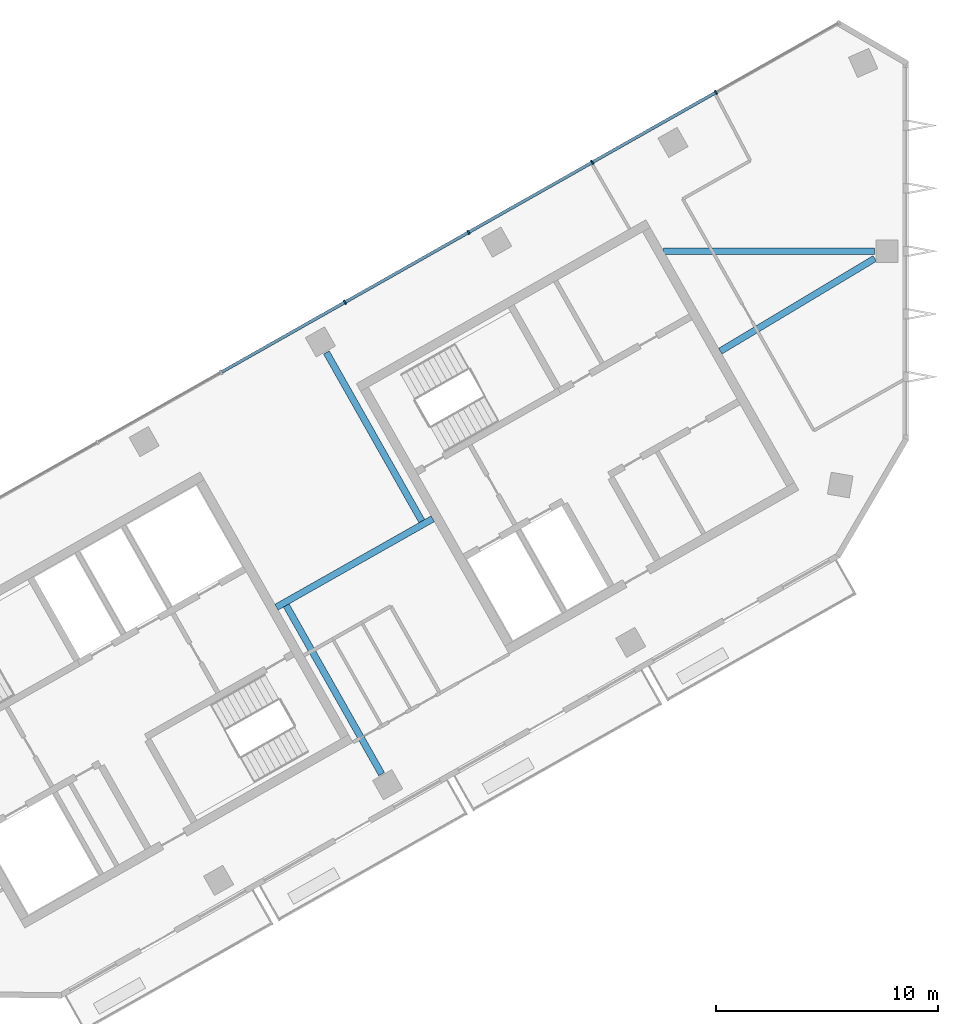
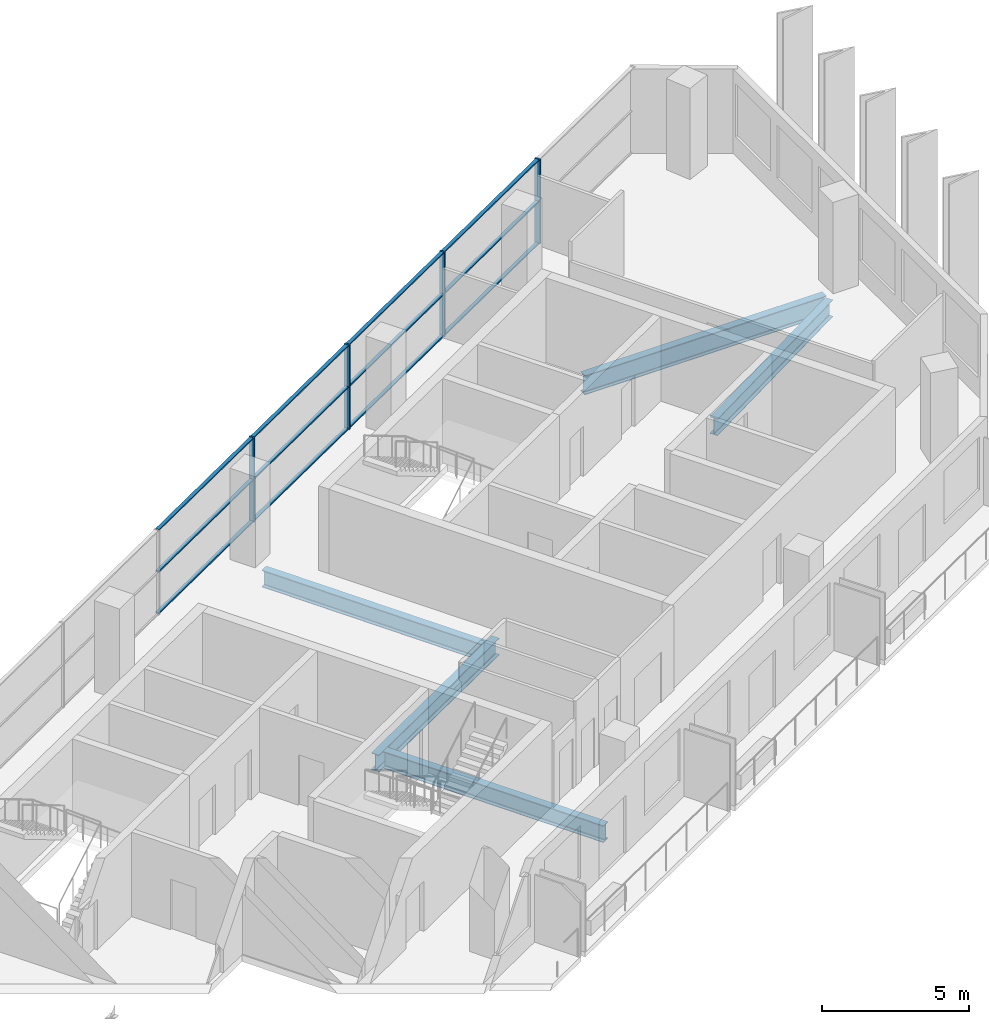
# One storey, part 3 of 10: 16 members, 5 beams, 1 element without a shape of its own.
"""IFC4 building model written with IfcOpenShell, lengths in metres."""

from ifc_helpers import new_model, si_unit, direction, frame, origin, origin_2d, place, context, subcontext, project, spatial, rectangle, i_section, extrude, material, material_profile, profile_set, type_object, element, aggregate, save


model = new_model("IFC4")

# Units and contexts
model_context = context("Model", 3, precision=1e-05, world=origin(), true_north=direction((0.0, 1.0)))
body_context = subcontext(model_context, "Body", "Model", "MODEL_VIEW")
ifc_project = project(units=[si_unit("LENGTHUNIT", "METRE"), si_unit("AREAUNIT", "SQUARE_METRE"), si_unit("VOLUMEUNIT", "CUBIC_METRE"), si_unit("PLANEANGLEUNIT", "RADIAN"), si_unit("MASSUNIT", "GRAM", prefix="KILO")], contexts=[model_context])

# Site, building, storey
site_placement = place(None, origin())
site = spatial("IfcSite", under=ifc_project, at=site_placement, CompositionType="ELEMENT")
building_placement = place(site_placement, origin())
building = spatial("IfcBuilding", under=site, at=building_placement, Name="Binnacle Exchange Tower", CompositionType="ELEMENT")
storey_placement = place(building_placement, frame((0.0, 0.0, 316.5)))
storey = spatial("IfcBuildingStorey", under=building, at=storey_placement, Name="L71", CompositionType="ELEMENT", Elevation=316.5)

# Curtain wall, members
ifc_material_1 = material(Name="Bronze anodised aluminium frame", Category="aluminium")
curtain_wall_type = type_object("IfcCurtainWallType", Name="External wall - curtain wall executive floors", PredefinedType="NOTDEFINED", material=ifc_material_1)
curtain_wall_placement = place(storey_placement, origin())
curtain_wall = element("IfcCurtainWall", 1, at=curtain_wall_placement, inside=storey, type_object=curtain_wall_type, Name="External wall curtain wall CW4-H03 L71", PredefinedType="NOTDEFINED")
ifc_material_profile_1 = material_profile(ifc_material_1, rectangle(XDim=0.199951171875, YDim=0.070068359375, at=origin_2d()), Name="AL 70x200")
ifc_profile_set_1 = profile_set([ifc_material_profile_1], Name="Bronze anodised aluminium frame")
member_type_1 = type_object("IfcMemberType", Name="CW4 MULLION 70x200", PredefinedType="MULLION", material=ifc_profile_set_1)
member_1_placement = place(storey_placement, frame((-8.55859375, 67.15771484375, 0.0), z_axis=(0.0, 0.0, 1.0), x_axis=(0.492423763019, -0.870355581136, 0.0)))
member_1 = element("IfcMember", 2, at=member_1_placement, type_object=member_type_1, Name="CW4-H03 mullion 2", PredefinedType="MULLION", context=body_context, shape_type="SweptSolid", body=[
    extrude(rectangle(XDim=0.199951171875, YDim=0.070068359375, at=origin_2d()), origin(), (0.0, 0.0, 1.0), 3.52001953125),
])
member_2_placement = place(storey_placement, frame((-14.13330078125, 64.003662109375, 0.0), z_axis=(0.0, 0.0, 1.0), x_axis=(0.492423763019, -0.870355581136, 0.0)))
member_2 = element("IfcMember", 3, at=member_2_placement, type_object=member_type_1, Name="CW4-H03 mullion 3", PredefinedType="MULLION", context=body_context, shape_type="SweptSolid", body=[
    extrude(rectangle(XDim=0.199951171875, YDim=0.070068359375, at=origin_2d()), origin(), (0.0, 0.0, 1.0), 3.52001953125),
])
member_3_placement = place(storey_placement, frame((-19.708251953125, 60.849609375, 0.0), z_axis=(0.0, 0.0, 1.0), x_axis=(0.492423763019, -0.870355581136, 0.0)))
member_3 = element("IfcMember", 4, at=member_3_placement, type_object=member_type_1, Name="CW4-H03 mullion 4", PredefinedType="MULLION", context=body_context, shape_type="SweptSolid", body=[
    extrude(rectangle(XDim=0.199951171875, YDim=0.070068359375, at=origin_2d()), origin(), (0.0, 0.0, 1.0), 3.52001953125),
])
member_4_placement = place(storey_placement, frame((-25.283203125, 57.695556640625, 0.0), z_axis=(0.0, 0.0, 1.0), x_axis=(0.492423763019, -0.870355581136, 0.0)))
member_4 = element("IfcMember", 5, at=member_4_placement, type_object=member_type_1, Name="CW4-H03 mullion 5", PredefinedType="MULLION", context=body_context, shape_type="SweptSolid", body=[
    extrude(rectangle(XDim=0.199951171875, YDim=0.070068359375, at=origin_2d()), origin(), (0.0, 0.0, 1.0), 3.52001953125),
])
ifc_material_profile_2 = material_profile(ifc_material_1, rectangle(XDim=0.139892578125, YDim=0.050048828125, at=origin_2d()), Name="AL 140x50")
ifc_profile_set_2 = profile_set([ifc_material_profile_2], Name="Bronze anodised aluminium frame")
member_type_2 = type_object("IfcMemberType", Name="CW4 TRANSOM 50x140", PredefinedType="USERDEFINED", material=ifc_profile_set_2)
member_5_placement = place(storey_placement, frame((-8.589111328125, 67.140625, 0.02490234375), z_axis=(-0.870355335808, -0.492424196633, 0.0), x_axis=(0.492424196633, -0.870355335808, 0.0)))
member_5 = element("IfcMember", 6, at=member_5_placement, type_object=member_type_2, Name="CW4-H03 transom 2.1", ObjectType="TRANSOM", PredefinedType="USERDEFINED", context=body_context, shape_type="SweptSolid", body=[
    extrude(rectangle(XDim=0.139892578125, YDim=0.050048828125, at=origin_2d()), origin(), (0.0, 0.0, 1.0), 6.335205078125),
])
member_6_placement = place(storey_placement, frame((-8.589111328125, 67.140625, 1.760009765625), z_axis=(-0.870355335808, -0.492424196633, 0.0), x_axis=(0.492424196633, -0.870355335808, 0.0)))
member_6 = element("IfcMember", 7, at=member_6_placement, type_object=member_type_2, Name="CW4-H03 transom 2.2", ObjectType="TRANSOM", PredefinedType="USERDEFINED", context=body_context, shape_type="SweptSolid", body=[
    extrude(rectangle(XDim=0.139892578125, YDim=0.050048828125, at=origin_2d()), origin(), (0.0, 0.0, 1.0), 6.335205078125),
])
member_7_placement = place(storey_placement, frame((-8.589111328125, 67.140625, 3.4951171875), z_axis=(-0.870355335808, -0.492424196633, 0.0), x_axis=(0.492424196633, -0.870355335808, 0.0)))
member_7 = element("IfcMember", 8, at=member_7_placement, type_object=member_type_2, Name="CW4-H03 transom 2.3", ObjectType="TRANSOM", PredefinedType="USERDEFINED", context=body_context, shape_type="SweptSolid", body=[
    extrude(rectangle(XDim=0.139892578125, YDim=0.050048828125, at=origin_2d()), origin(), (0.0, 0.0, 1.0), 6.335205078125),
])
member_8_placement = place(storey_placement, frame((-14.163818359375, 63.986328125, 0.02490234375), z_axis=(-0.870355335808, -0.492424196633, 0.0), x_axis=(0.492424196633, -0.870355335808, 0.0)))
member_8 = element("IfcMember", 9, at=member_8_placement, type_object=member_type_2, Name="CW4-H03 transom 3.1", ObjectType="TRANSOM", PredefinedType="USERDEFINED", context=body_context, shape_type="SweptSolid", body=[
    extrude(rectangle(XDim=0.139892578125, YDim=0.050048828125, at=origin_2d()), origin(), (0.0, 0.0, 1.0), 6.335205078125),
])
member_9_placement = place(storey_placement, frame((-14.163818359375, 63.986328125, 1.760009765625), z_axis=(-0.870355335808, -0.492424196633, 0.0), x_axis=(0.492424196633, -0.870355335808, 0.0)))
member_9 = element("IfcMember", 10, at=member_9_placement, type_object=member_type_2, Name="CW4-H03 transom 3.2", ObjectType="TRANSOM", PredefinedType="USERDEFINED", context=body_context, shape_type="SweptSolid", body=[
    extrude(rectangle(XDim=0.139892578125, YDim=0.050048828125, at=origin_2d()), origin(), (0.0, 0.0, 1.0), 6.335205078125),
])
member_10_placement = place(storey_placement, frame((-14.163818359375, 63.986328125, 3.4951171875), z_axis=(-0.870355335808, -0.492424196633, 0.0), x_axis=(0.492424196633, -0.870355335808, 0.0)))
member_10 = element("IfcMember", 11, at=member_10_placement, type_object=member_type_2, Name="CW4-H03 transom 3.3", ObjectType="TRANSOM", PredefinedType="USERDEFINED", context=body_context, shape_type="SweptSolid", body=[
    extrude(rectangle(XDim=0.139892578125, YDim=0.050048828125, at=origin_2d()), origin(), (0.0, 0.0, 1.0), 6.335205078125),
])
member_11_placement = place(storey_placement, frame((-19.73876953125, 60.832275390625, 0.02490234375), z_axis=(-0.870355335808, -0.492424196633, 0.0), x_axis=(0.492424196633, -0.870355335808, 0.0)))
member_11 = element("IfcMember", 12, at=member_11_placement, type_object=member_type_2, Name="CW4-H03 transom 4.1", ObjectType="TRANSOM", PredefinedType="USERDEFINED", context=body_context, shape_type="SweptSolid", body=[
    extrude(rectangle(XDim=0.139892578125, YDim=0.050048828125, at=origin_2d()), origin(), (0.0, 0.0, 1.0), 6.335205078125),
])
member_12_placement = place(storey_placement, frame((-19.73876953125, 60.832275390625, 1.760009765625), z_axis=(-0.870355335808, -0.492424196633, 0.0), x_axis=(0.492424196633, -0.870355335808, 0.0)))
member_12 = element("IfcMember", 13, at=member_12_placement, type_object=member_type_2, Name="CW4-H03 transom 4.2", ObjectType="TRANSOM", PredefinedType="USERDEFINED", context=body_context, shape_type="SweptSolid", body=[
    extrude(rectangle(XDim=0.139892578125, YDim=0.050048828125, at=origin_2d()), origin(), (0.0, 0.0, 1.0), 6.335205078125),
])
member_13_placement = place(storey_placement, frame((-19.73876953125, 60.832275390625, 3.4951171875), z_axis=(-0.870355335808, -0.492424196633, 0.0), x_axis=(0.492424196633, -0.870355335808, 0.0)))
member_13 = element("IfcMember", 14, at=member_13_placement, type_object=member_type_2, Name="CW4-H03 transom 4.3", ObjectType="TRANSOM", PredefinedType="USERDEFINED", context=body_context, shape_type="SweptSolid", body=[
    extrude(rectangle(XDim=0.139892578125, YDim=0.050048828125, at=origin_2d()), origin(), (0.0, 0.0, 1.0), 6.335205078125),
])
member_14_placement = place(storey_placement, frame((-25.3134765625, 57.67822265625, 0.02490234375), z_axis=(-0.870364679821, -0.492407680809, 0.0), x_axis=(0.492407680809, -0.870364679821, 0.0)))
member_14 = element("IfcMember", 15, at=member_14_placement, type_object=member_type_2, Name="CW4-H03 transom 5.1", ObjectType="TRANSOM", PredefinedType="USERDEFINED", context=body_context, shape_type="SweptSolid", body=[
    extrude(rectangle(XDim=0.139892578125, YDim=0.050048828125, at=origin_2d()), origin(), (0.0, 0.0, 1.0), 6.33544921875),
])
member_15_placement = place(storey_placement, frame((-25.3134765625, 57.67822265625, 1.760009765625), z_axis=(-0.870364679821, -0.492407680809, 0.0), x_axis=(0.492407680809, -0.870364679821, 0.0)))
member_15 = element("IfcMember", 16, at=member_15_placement, type_object=member_type_2, Name="CW4-H03 transom 5.2", ObjectType="TRANSOM", PredefinedType="USERDEFINED", context=body_context, shape_type="SweptSolid", body=[
    extrude(rectangle(XDim=0.139892578125, YDim=0.050048828125, at=origin_2d()), origin(), (0.0, 0.0, 1.0), 6.33544921875),
])
member_16_placement = place(storey_placement, frame((-25.3134765625, 57.67822265625, 3.4951171875), z_axis=(-0.870364679821, -0.492407680809, 0.0), x_axis=(0.492407680809, -0.870364679821, 0.0)))
member_16 = element("IfcMember", 17, at=member_16_placement, type_object=member_type_2, Name="CW4-H03 transom 5.3", ObjectType="TRANSOM", PredefinedType="USERDEFINED", context=body_context, shape_type="SweptSolid", body=[
    extrude(rectangle(XDim=0.139892578125, YDim=0.050048828125, at=origin_2d()), origin(), (0.0, 0.0, 1.0), 6.33544921875),
])
aggregate(curtain_wall, [member_1, member_2, member_3, member_4, member_5, member_6, member_7, member_8, member_9, member_10, member_11, member_12, member_13, member_14, member_15, member_16])

# Beams
ifc_material_2 = material(Name="Steel S355 (SHN355)", Category="steel")
ifc_material_profile_3 = material_profile(ifc_material_2, i_section(OverallWidth=0.302001953125, OverallDepth=0.7080078125, WebThickness=0.014892578125, FlangeThickness=0.028076171875, FilletRadius=0.028076171875, at=origin_2d()), Name="H 708x302x15x28")
ifc_profile_set_3 = profile_set([ifc_material_profile_3], Name="Steel S355 (SHN355)")
beam_type_1 = type_object("IfcBeamType", Name="Floor beam H 708x302x15x28 Steel S355 (SHN355)", PredefinedType="BEAM", material=ifc_profile_set_3)
beam_1_placement = place(storey_placement, frame((-26.11669921875, 55.431396484375, -0.634033203125), z_axis=(0.492413671625, -0.870361290497, 0.0), x_axis=(0.870361290497, 0.492413671625, 0.0)))
element("IfcBeam", 18, at=beam_1_placement, inside=storey, type_object=beam_type_1, Name="S:BM:cross:L71:004", PredefinedType="BEAM", context=body_context, shape_type="SweptSolid", body=[
    extrude(i_section(OverallWidth=0.302001953125, OverallDepth=0.7080078125, WebThickness=0.014892578125, FlangeThickness=0.028076171875, FilletRadius=0.028076171875, at=origin_2d()), origin(), (0.0, 0.0, 1.0), 8.734130859375),
])
beam_2_placement = place(storey_placement, frame((-23.626708984375, 36.4248046875, -0.634033203125), z_axis=(-0.492422866295, 0.870356088477, 0.0), x_axis=(-0.870356088477, -0.492422866295, 0.0)))
element("IfcBeam", 19, at=beam_2_placement, inside=storey, type_object=beam_type_1, Name="S:BM:cross:L71:005", PredefinedType="BEAM", context=body_context, shape_type="SweptSolid", body=[
    extrude(i_section(OverallWidth=0.302001953125, OverallDepth=0.7080078125, WebThickness=0.014892578125, FlangeThickness=0.028076171875, FilletRadius=0.028076171875, at=origin_2d()), origin(), (0.0, 0.0, 1.0), 8.734375),
])
ifc_material_profile_4 = material_profile(ifc_material_2, i_section(OverallWidth=0.300048828125, OverallDepth=0.800048828125, WebThickness=0.013916015625, FlangeThickness=0.02587890625, FilletRadius=0.028076171875, at=origin_2d()), Name="H 800x300x14x26")
ifc_profile_set_4 = profile_set([ifc_material_profile_4], Name="Steel S355 (SHN355)")
beam_type_2 = type_object("IfcBeamType", Name="Floor beam H 800x300x14x26 Steel S355 (SHN355)", PredefinedType="BEAM", material=ifc_profile_set_4)
beam_3_placement = place(storey_placement, frame((-1.39990234375, 60.0, -0.679931640625), z_axis=(-1.0, 0.0, 0.0), x_axis=(0.0, -1.0, 0.0)))
element("IfcBeam", 20, at=beam_3_placement, inside=storey, type_object=beam_type_2, Name="S:BM:cross:L71:006", PredefinedType="BEAM", context=body_context, shape_type="SweptSolid", body=[
    extrude(i_section(OverallWidth=0.300048828125, OverallDepth=0.800048828125, WebThickness=0.013916015625, FlangeThickness=0.02587890625, FilletRadius=0.028076171875, at=origin_2d()), origin(), (0.0, 0.0, 1.0), 9.51513671875),
])
ifc_material_profile_5 = material_profile(ifc_material_2, i_section(OverallWidth=0.300048828125, OverallDepth=0.699951171875, WebThickness=0.012939453125, FlangeThickness=0.02392578125, FilletRadius=0.028076171875, at=origin_2d()), Name="H 700x300x13x24")
ifc_profile_set_5 = profile_set([ifc_material_profile_5], Name="Steel S355 (SHN355)")
beam_type_3 = type_object("IfcBeamType", Name="Spine girder H 700x300x13x24 Steel S355 (SHN355)", PredefinedType="BEAM", material=ifc_profile_set_5)
beam_4_placement = place(storey_placement, frame((-8.36328125, 55.489990234375, -0.6298828125), z_axis=(0.857389464427, 0.514668151618, 0.0), x_axis=(-0.514668151618, 0.857389464427, 0.0)))
element("IfcBeam", 21, at=beam_4_placement, inside=storey, type_object=beam_type_3, Name="S:BM:spine:L71:003", PredefinedType="BEAM", context=body_context, shape_type="SweptSolid", body=[
    extrude(i_section(OverallWidth=0.300048828125, OverallDepth=0.699951171875, WebThickness=0.012939453125, FlangeThickness=0.02392578125, FilletRadius=0.028076171875, at=origin_2d()), origin(), (0.0, 0.0, 1.0), 8.12158203125),
])
ifc_material_profile_6 = material_profile(ifc_material_2, i_section(OverallWidth=0.302001953125, OverallDepth=0.7080078125, WebThickness=0.014892578125, FlangeThickness=0.028076171875, FilletRadius=0.028076171875, at=origin_2d()), Name="H 708x302x15x28")
ifc_profile_set_6 = profile_set([ifc_material_profile_6], Name="Steel S355 (SHN355)")
beam_type_4 = type_object("IfcBeamType", Name="Spine girder H 708x302x15x28 Steel S355 (SHN355)", PredefinedType="BEAM", material=ifc_profile_set_6)
beam_5_placement = place(storey_placement, frame((-28.365478515625, 43.951416015625, -0.634033203125), z_axis=(0.870350319004, 0.492433063684, 0.0), x_axis=(-0.492433063684, 0.870350319004, 0.0)))
element("IfcBeam", 22, at=beam_5_placement, inside=storey, type_object=beam_type_4, Name="S:BM:spine:L71:002", PredefinedType="BEAM", context=body_context, shape_type="SweptSolid", body=[
    extrude(i_section(OverallWidth=0.302001953125, OverallDepth=0.7080078125, WebThickness=0.014892578125, FlangeThickness=0.028076171875, FilletRadius=0.028076171875, at=origin_2d()), origin(), (0.0, 0.0, 1.0), 8.0908203125),
])

save(model, "model.ifc")
